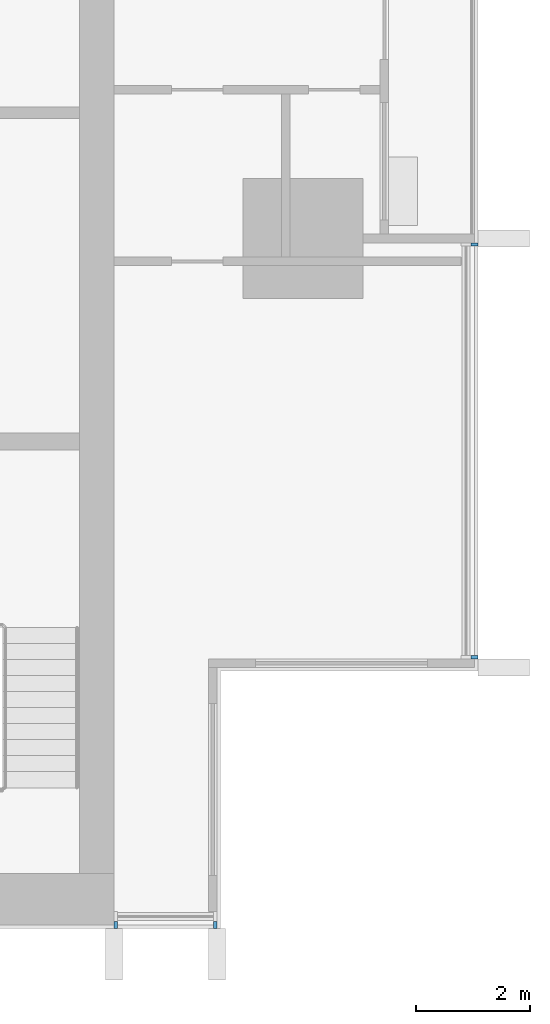
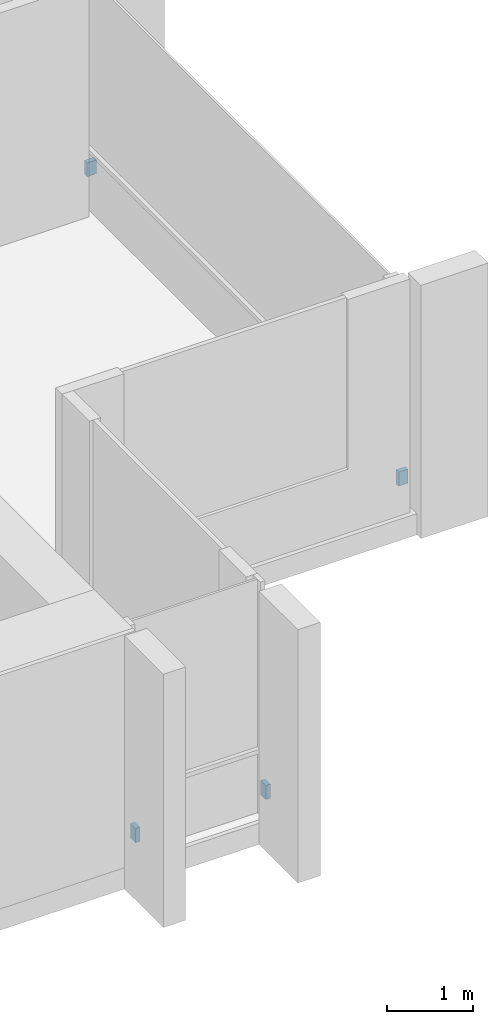
# One storey, part 13 of 16: 4 discrete accessories.
"""IFC4 building model written with IfcOpenShell, lengths in metres."""

from ifc_helpers import new_model, si_unit, direction, frame, origin, origin_2d, place, context, subcontext, project, spatial, rectangle, extrude, material, type_object, element, save


model = new_model("IFC4")

# Units and contexts
model_context = context("Model", 3, precision=1e-05, world=origin(), true_north=direction((0.0, 1.0)))
body_context = subcontext(model_context, "Body", "Model", "MODEL_VIEW")
ifc_project = project(units=[si_unit("LENGTHUNIT", "METRE"), si_unit("AREAUNIT", "SQUARE_METRE"), si_unit("VOLUMEUNIT", "CUBIC_METRE"), si_unit("PLANEANGLEUNIT", "RADIAN"), si_unit("MASSUNIT", "GRAM", prefix="KILO")], contexts=[model_context])

# Site, building, storey
site_placement = place(None, origin())
site = spatial("IfcSite", under=ifc_project, at=site_placement, CompositionType="ELEMENT")
building_placement = place(site_placement, origin())
building = spatial("IfcBuilding", under=site, at=building_placement, Name="Finial Court Residences", CompositionType="ELEMENT")
storey_placement = place(building_placement, frame((0.0, 0.0, 223.10009765625)))
storey = spatial("IfcBuildingStorey", under=building, at=storey_placement, Name="L56", CompositionType="ELEMENT", Elevation=223.10009765625)

# Discrete accessories
ifc_material = material(Name="Stainless steel 316", Category="steel")
discrete_accessory_type = type_object("IfcDiscreteAccessoryType", Name="Fin bracket, stainless steel 60 x 122 x 200", PredefinedType="BRACKET", material=ifc_material)
for number, where, z_axis, x_axis, name in (
    (1, (19.498779296875, -20.820068359375, 0.2998046875), (0.0, 0.0, 1.0), (1.0, 0.0, 0.0), "E-L56-FIN-E7-BRK"),
    (2, (19.498779296875, -13.60498046875, 0.2998046875), (0.0, 0.0, 1.0), (1.0, 0.0, 0.0), "E-L56-FIN-E8-BRK"),
):
    element("IfcDiscreteAccessory", number, at=place(storey_placement, frame(where, z_axis=z_axis, x_axis=x_axis)), inside=storey, type_object=discrete_accessory_type, Name=name, PredefinedType="BRACKET", context=body_context, shape_type="SweptSolid", body=[
        extrude(rectangle(XDim=0.12255859375, YDim=0.06005859375, at=origin_2d()), origin(), (0.0, 0.0, 1.0), 0.199951171875),
    ])
for number, where, z_axis, x_axis, name in (
    (3, (13.22998046875, -25.498779296875, 0.2998046875), (0.0, 0.0, 1.0), (1.0, 0.0, 0.0), "E-L56-FIN-S19-BRK"),
    (4, (14.969970703125, -25.498779296875, 0.2998046875), (0.0, 0.0, 1.0), (1.0, 0.0, 0.0), "E-L56-FIN-S20-BRK"),
):
    element("IfcDiscreteAccessory", number, at=place(storey_placement, frame(where, z_axis=z_axis, x_axis=x_axis)), inside=storey, type_object=discrete_accessory_type, Name=name, PredefinedType="BRACKET", context=body_context, shape_type="SweptSolid", body=[
        extrude(rectangle(XDim=0.06005859375, YDim=0.12255859375, at=origin_2d()), origin(), (0.0, 0.0, 1.0), 0.199951171875),
    ])

save(model, "model.ifc")
